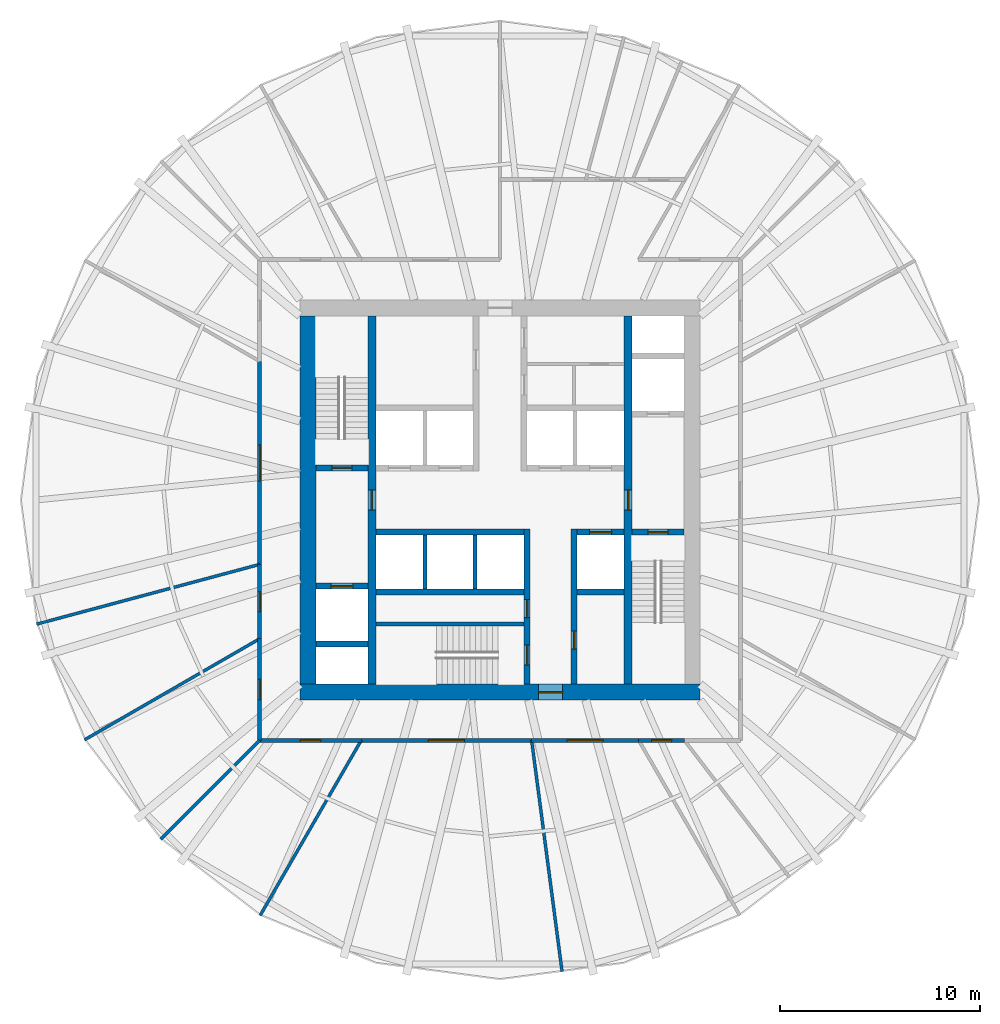
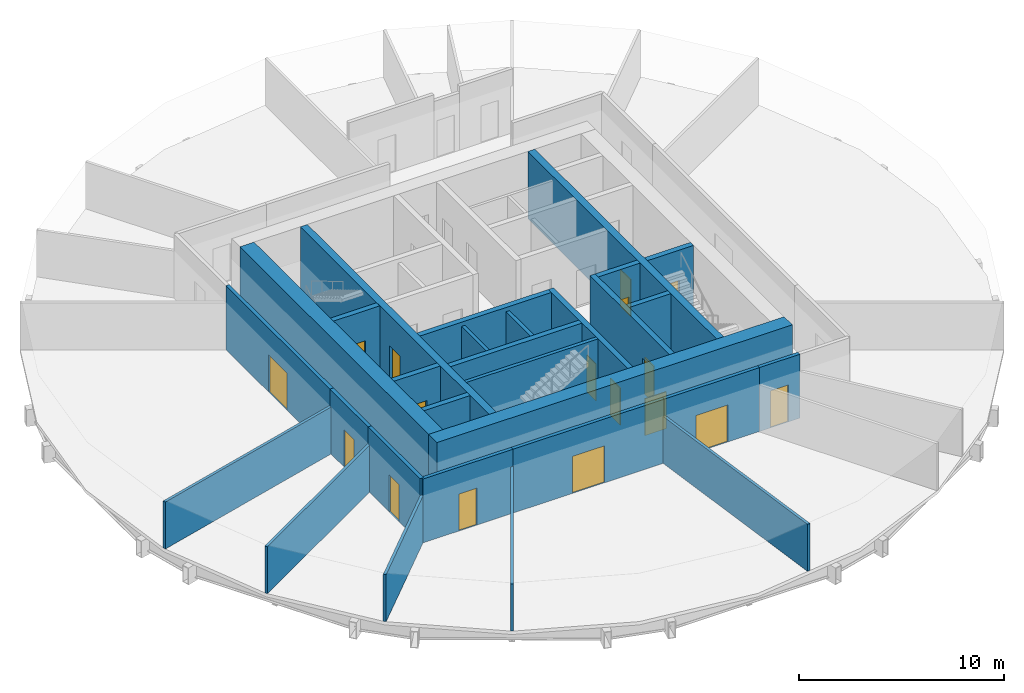
# One storey, part 3 of 6: 29 walls, 17 doors, 17 openings.
"""IFC4 building model written with IfcOpenShell, lengths in metres."""

from ifc_helpers import new_model, si_unit, direction, frame, frame_2d, origin, place, context, subcontext, project, spatial, rectangle, extrude, material, layer, layer_set, type_object, element, fill, save


model = new_model("IFC4")

# Units and contexts
model_context = context("Model", 3, precision=1e-05, world=origin(), true_north=direction((0.0, 1.0)))
body_context = subcontext(model_context, "Body", "Model", "MODEL_VIEW")
ifc_project = project(units=[si_unit("LENGTHUNIT", "METRE"), si_unit("AREAUNIT", "SQUARE_METRE"), si_unit("VOLUMEUNIT", "CUBIC_METRE"), si_unit("PLANEANGLEUNIT", "RADIAN"), si_unit("MASSUNIT", "GRAM", prefix="KILO")], contexts=[model_context])

# Site, building, storey
site_placement = place(None, origin())
site = spatial("IfcSite", under=ifc_project, at=site_placement, CompositionType="ELEMENT")
building_placement = place(site_placement, origin())
building = spatial("IfcBuilding", under=site, at=building_placement, Name="Golbaran Civic Tower", CompositionType="ELEMENT")
storey_placement = place(building_placement, frame((0.0, 0.0, 73.0)))
storey = spatial("IfcBuildingStorey", under=building, at=storey_placement, Name="L17", CompositionType="ELEMENT", Elevation=73.0)

# Wall, opening, door
ifc_material_1 = material(Name="Concrete C50/60", Category="concrete")
ifc_layer_1 = layer(ifc_material_1, 0.39990234375, Name="Concrete C50/60")
ifc_layer_set_1 = layer_set([ifc_layer_1], Name="Concrete C50/60")
wall_type_1 = type_object("IfcWallType", Name="CORE WALL CONCRETE 400", PredefinedType="SOLIDWALL", material=ifc_layer_set_1)
wall_1_placement = place(storey_placement, frame((-6.39990234375, -9.199951171875, 0.0), z_axis=(0.0, 0.0, 1.0), x_axis=(0.0, 1.0, 0.0)))
wall_1 = element("IfcWall", 1, at=wall_1_placement, inside=storey, type_object=wall_type_1, Name="Core wall IW L17", PredefinedType="SOLIDWALL", context=body_context, shape_type="SweptSolid", body=[
    extrude(rectangle(XDim=18.39990234375, YDim=0.39990234375, at=frame_2d((9.199951171875, 0.0))), origin(), (0.0, 0.0, 1.0), 4.0),
])
opening_1_placement = place(wall_1_placement, frame((8.699951171875, 0.0, 0.0)))
opening_1 = element("IfcOpeningElement", 2, at=opening_1_placement, cuts=wall_1, Name="Opening L17.FL1", PredefinedType="OPENING", context=body_context, shape_type="SweptSolid", body=[
    extrude(rectangle(XDim=1.0, YDim=2.199951171875, at=frame_2d((0.5, 1.10009765625))), frame((0.0, 0.2099609375, 0.0), z_axis=(0.0, -1.0, 0.0), x_axis=(1.0, 0.0, 0.0)), (0.0, 0.0, 1.0), 0.419921875),
])
ifc_material_2 = material(Name="Timber door set in steel frame", Category="steel")
door_type_1 = type_object("IfcDoorType", Name="STAIR DOOR 1000x2200", OperationType="SINGLE_SWING_LEFT", PredefinedType="DOOR", material=ifc_material_2)
door_1_placement = place(opening_1_placement, origin())
door_1 = element("IfcDoor", 3, at=door_1_placement, inside=storey, type_object=door_type_1, Name="Fire-fighting lobby FL1 door", OperationType="SINGLE_SWING_LEFT", OverallHeight=2.199951171875, OverallWidth=1.0, PredefinedType="DOOR", context=body_context, shape_type="SweptSolid", body=[
    extrude(rectangle(XDim=1.0, YDim=2.199951171875, at=frame_2d((0.5, 1.10009765625))), frame((0.0, 0.02490234375, 0.0), z_axis=(0.0, -1.0, 0.0), x_axis=(1.0, 0.0, 0.0)), (0.0, 0.0, 1.0), 0.050048828125),
])
fill(opening_1, door_1)

wall_2_placement = place(storey_placement, frame((6.39990234375, 9.199951171875, 0.0), z_axis=(0.0, 0.0, 1.0), x_axis=(0.0, -1.0, 0.0)))
wall_2 = element("IfcWall", 4, at=wall_2_placement, inside=storey, type_object=wall_type_1, Name="Core wall IE L17", PredefinedType="SOLIDWALL", context=body_context, shape_type="SweptSolid", body=[
    extrude(rectangle(XDim=18.39990234375, YDim=0.39990234375, at=frame_2d((9.199951171875, 0.0))), origin(), (0.0, 0.0, 1.0), 4.0),
])
opening_2_placement = place(wall_2_placement, frame((8.699951171875, 0.0, 0.0)))
opening_2 = element("IfcOpeningElement", 5, at=opening_2_placement, cuts=wall_2, Name="Opening L17.FL2", PredefinedType="OPENING", context=body_context, shape_type="SweptSolid", body=[
    extrude(rectangle(XDim=1.0, YDim=2.199951171875, at=frame_2d((0.5, 1.10009765625))), frame((0.0, 0.2099609375, 0.0), z_axis=(0.0, -1.0, 0.0), x_axis=(1.0, 0.0, 0.0)), (0.0, 0.0, 1.0), 0.419921875),
])
door_2_placement = place(opening_2_placement, origin())
door_2 = element("IfcDoor", 6, at=door_2_placement, inside=storey, type_object=door_type_1, Name="Fire-fighting lobby FL2 door", OperationType="SINGLE_SWING_RIGHT", OverallHeight=2.199951171875, OverallWidth=1.0, PredefinedType="DOOR", context=body_context, shape_type="SweptSolid", body=[
    extrude(rectangle(XDim=1.0, YDim=2.199951171875, at=frame_2d((0.5, 1.10009765625))), frame((0.0, 0.02490234375, 0.0), z_axis=(0.0, -1.0, 0.0), x_axis=(1.0, 0.0, 0.0)), (0.0, 0.0, 1.0), 0.050048828125),
])
fill(opening_2, door_2)

ifc_layer_2 = layer(ifc_material_1, 0.800048828125, Name="Concrete C50/60")
ifc_layer_set_2 = layer_set([ifc_layer_2], Name="Concrete C50/60")
wall_type_2 = type_object("IfcWallType", Name="CORE WALL CONCRETE 800", PredefinedType="SOLIDWALL", material=ifc_layer_set_2)
wall_3_placement = place(storey_placement, frame((10.0, -9.60009765625, 0.0), z_axis=(0.0, 0.0, 1.0), x_axis=(-1.0, 0.0, 0.0)))
wall_3 = element("IfcWall", 7, at=wall_3_placement, inside=storey, type_object=wall_type_2, Name="Core wall CS L17", PredefinedType="SOLIDWALL", context=body_context, shape_type="SweptSolid", body=[
    extrude(rectangle(XDim=20.0, YDim=0.800048828125, at=frame_2d((10.0, 0.0))), origin(), (0.0, 0.0, 1.0), 4.0),
])
opening_3_placement = place(wall_3_placement, frame((6.875, 0.0, 0.0)))
opening_3 = element("IfcOpeningElement", 8, at=opening_3_placement, cuts=wall_3, Name="Opening L17.CS", PredefinedType="OPENING", context=body_context, shape_type="SweptSolid", body=[
    extrude(rectangle(XDim=1.199951171875, YDim=2.199951171875, at=frame_2d((0.60009765625, 1.10009765625))), frame((0.0, 0.409912109375, 0.0), z_axis=(0.0, -1.0, 0.0), x_axis=(1.0, 0.0, 0.0)), (0.0, 0.0, 1.0), 0.820068359375),
])
door_type_2 = type_object("IfcDoorType", Name="CORE DOOR 1200x2200", OperationType="DOUBLE_DOOR_SINGLE_SWING", PredefinedType="DOOR", material=ifc_material_2)
door_3_placement = place(opening_3_placement, origin())
door_3 = element("IfcDoor", 9, at=door_3_placement, inside=storey, type_object=door_type_2, Name="Core door south", OperationType="DOUBLE_DOOR_SINGLE_SWING", OverallHeight=2.199951171875, OverallWidth=1.199951171875, PredefinedType="DOOR", context=body_context, shape_type="SweptSolid", body=[
    extrude(rectangle(XDim=1.199951171875, YDim=2.199951171875, at=frame_2d((0.60009765625, 1.10009765625))), frame((0.0, 0.02490234375, 0.0), z_axis=(0.0, -1.0, 0.0), x_axis=(1.0, 0.0, 0.0)), (0.0, 0.0, 1.0), 0.050048828125),
])
fill(opening_3, door_3)

# Wall
wall_4_placement = place(storey_placement, frame((-9.60009765625, 9.199951171875, 0.0), z_axis=(0.0, 0.0, 1.0), x_axis=(0.0, -1.0, 0.0)))
element("IfcWall", 10, at=wall_4_placement, inside=storey, type_object=wall_type_2, Name="Core wall CW L17", PredefinedType="SOLIDWALL", context=body_context, shape_type="SweptSolid", body=[
    extrude(rectangle(XDim=18.39990234375, YDim=0.800048828125, at=frame_2d((9.199951171875, 0.0))), origin(), (0.0, 0.0, 1.0), 4.0),
])

# Wall, opening, door
ifc_material_3 = material(Name="Gypsum board on steel studs, fire-rated", Category="steel")
ifc_layer_3 = layer(ifc_material_3, 0.199951171875, Name="Gypsum board on steel studs, fire-rated")
ifc_layer_set_3 = layer_set([ifc_layer_3], Name="Gypsum board on steel studs, fire-rated")
wall_type_3 = type_object("IfcWallType", Name="CORRIDOR WALL 200", PredefinedType="PARTITIONING", material=ifc_layer_set_3)
wall_5_placement = place(storey_placement, frame((-12.0, 6.92822265625, 0.0), z_axis=(0.0, 0.0, 1.0), x_axis=(0.0, -1.0, 0.0)))
wall_5 = element("IfcWall", 11, at=wall_5_placement, inside=storey, type_object=wall_type_3, Name="Corridor wall L17", PredefinedType="PARTITIONING", context=body_context, shape_type="SweptSolid", body=[
    extrude(rectangle(XDim=10.1435546875, YDim=0.199951171875, at=frame_2d((5.07177734375, 0.0))), origin(), (0.0, 0.0, 1.0), 3.800048828125),
])
opening_4_placement = place(wall_5_placement, frame((4.171875, 0.0, 0.0)))
opening_4 = element("IfcOpeningElement", 12, at=opening_4_placement, cuts=wall_5, Name="Opening L17.10", PredefinedType="OPENING", context=body_context, shape_type="SweptSolid", body=[
    extrude(rectangle(XDim=1.800048828125, YDim=2.199951171875, at=frame_2d((0.89990234375, 1.10009765625))), frame((0.0, 0.10986328125, 0.0), z_axis=(0.0, -1.0, 0.0), x_axis=(1.0, 0.0, 0.0)), (0.0, 0.0, 1.0), 0.219970703125),
])
door_type_3 = type_object("IfcDoorType", Name="OFFICE DOUBLE DOOR 1800x2200", OperationType="DOUBLE_DOOR_SINGLE_SWING", PredefinedType="DOOR", material=ifc_material_2)
door_4_placement = place(opening_4_placement, origin())
door_4 = element("IfcDoor", 13, at=door_4_placement, inside=storey, type_object=door_type_3, Name="Open Office door L17", OperationType="DOUBLE_DOOR_SINGLE_SWING", OverallHeight=2.199951171875, OverallWidth=1.800048828125, PredefinedType="DOOR", context=body_context, shape_type="SweptSolid", body=[
    extrude(rectangle(XDim=1.800048828125, YDim=2.199951171875, at=frame_2d((0.89990234375, 1.10009765625))), frame((0.0, 0.02490234375, 0.0), z_axis=(0.0, -1.0, 0.0), x_axis=(1.0, 0.0, 0.0)), (0.0, 0.0, 1.0), 0.050048828125),
])
fill(opening_4, door_4)

wall_6_placement = place(storey_placement, frame((-12.0, -3.21533203125, 0.0), z_axis=(0.0, 0.0, 1.0), x_axis=(0.0, -1.0, 0.0)))
wall_6 = element("IfcWall", 14, at=wall_6_placement, inside=storey, type_object=wall_type_3, Name="Corridor wall L17", PredefinedType="PARTITIONING", context=body_context, shape_type="SweptSolid", body=[
    extrude(rectangle(XDim=3.712890625, YDim=0.199951171875, at=frame_2d((1.8564453125, 0.0))), origin(), (0.0, 0.0, 1.0), 3.800048828125),
])
opening_5_placement = place(wall_6_placement, frame((1.3564453125, 0.0, 0.0)))
opening_5 = element("IfcOpeningElement", 15, at=opening_5_placement, cuts=wall_6, Name="Opening L17.11", PredefinedType="OPENING", context=body_context, shape_type="SweptSolid", body=[
    extrude(rectangle(XDim=1.0, YDim=2.199951171875, at=frame_2d((0.5, 1.10009765625))), frame((0.0, 0.10986328125, 0.0), z_axis=(0.0, -1.0, 0.0), x_axis=(1.0, 0.0, 0.0)), (0.0, 0.0, 1.0), 0.219970703125),
])
door_type_4 = type_object("IfcDoorType", Name="OFFICE DOOR 1000x2200", OperationType="SINGLE_SWING_LEFT", PredefinedType="DOOR", material=ifc_material_2)
door_5_placement = place(opening_5_placement, origin())
door_5 = element("IfcDoor", 16, at=door_5_placement, inside=storey, type_object=door_type_4, Name="Interview Room door L17", OperationType="SINGLE_SWING_RIGHT", OverallHeight=2.199951171875, OverallWidth=1.0, PredefinedType="DOOR", context=body_context, shape_type="SweptSolid", body=[
    extrude(rectangle(XDim=1.0, YDim=2.199951171875, at=frame_2d((0.5, 1.10009765625))), frame((0.0, 0.02490234375, 0.0), z_axis=(0.0, -1.0, 0.0), x_axis=(1.0, 0.0, 0.0)), (0.0, 0.0, 1.0), 0.050048828125),
])
fill(opening_5, door_5)

wall_7_placement = place(storey_placement, frame((-12.0, -6.92822265625, 0.0), z_axis=(0.0, 0.0, 1.0), x_axis=(0.0, -1.0, 0.0)))
wall_7 = element("IfcWall", 17, at=wall_7_placement, inside=storey, type_object=wall_type_3, Name="Corridor wall L17", PredefinedType="PARTITIONING", context=body_context, shape_type="SweptSolid", body=[
    extrude(rectangle(XDim=5.07177734375, YDim=0.199951171875, at=frame_2d((2.535888671875, 0.0))), origin(), (0.0, 0.0, 1.0), 3.800048828125),
])
opening_6_placement = place(wall_7_placement, frame((2.035888671875, 0.0, 0.0)))
opening_6 = element("IfcOpeningElement", 18, at=opening_6_placement, cuts=wall_7, Name="Opening L17.12", PredefinedType="OPENING", context=body_context, shape_type="SweptSolid", body=[
    extrude(rectangle(XDim=1.0, YDim=2.199951171875, at=frame_2d((0.5, 1.10009765625))), frame((0.0, 0.10986328125, 0.0), z_axis=(0.0, -1.0, 0.0), x_axis=(1.0, 0.0, 0.0)), (0.0, 0.0, 1.0), 0.219970703125),
])
door_6_placement = place(opening_6_placement, origin())
door_6 = element("IfcDoor", 19, at=door_6_placement, inside=storey, type_object=door_type_4, Name="Quiet Room door L17", OperationType="SINGLE_SWING_RIGHT", OverallHeight=2.199951171875, OverallWidth=1.0, PredefinedType="DOOR", context=body_context, shape_type="SweptSolid", body=[
    extrude(rectangle(XDim=1.0, YDim=2.199951171875, at=frame_2d((0.5, 1.10009765625))), frame((0.0, 0.02490234375, 0.0), z_axis=(0.0, -1.0, 0.0), x_axis=(1.0, 0.0, 0.0)), (0.0, 0.0, 1.0), 0.050048828125),
])
fill(opening_6, door_6)

wall_8_placement = place(storey_placement, frame((-12.0, -12.0, 0.0), z_axis=(0.0, 0.0, 1.0), x_axis=(1.0, 0.0, 0.0)))
wall_8 = element("IfcWall", 20, at=wall_8_placement, inside=storey, type_object=wall_type_3, Name="Corridor wall L17", PredefinedType="PARTITIONING", context=body_context, shape_type="SweptSolid", body=[
    extrude(rectangle(XDim=5.07177734375, YDim=0.199951171875, at=frame_2d((2.535888671875, 0.0))), origin(), (0.0, 0.0, 1.0), 3.800048828125),
])
opening_7_placement = place(wall_8_placement, frame((2.035888671875, 0.0, 0.0)))
opening_7 = element("IfcOpeningElement", 21, at=opening_7_placement, cuts=wall_8, Name="Opening L17.13", PredefinedType="OPENING", context=body_context, shape_type="SweptSolid", body=[
    extrude(rectangle(XDim=1.0, YDim=2.199951171875, at=frame_2d((0.5, 1.10009765625))), frame((0.0, 0.10986328125, 0.0), z_axis=(0.0, -1.0, 0.0), x_axis=(1.0, 0.0, 0.0)), (0.0, 0.0, 1.0), 0.219970703125),
])
door_7_placement = place(opening_7_placement, origin())
door_7 = element("IfcDoor", 22, at=door_7_placement, inside=storey, type_object=door_type_4, Name="Meeting Room door L17", OperationType="SINGLE_SWING_LEFT", OverallHeight=2.199951171875, OverallWidth=1.0, PredefinedType="DOOR", context=body_context, shape_type="SweptSolid", body=[
    extrude(rectangle(XDim=1.0, YDim=2.199951171875, at=frame_2d((0.5, 1.10009765625))), frame((0.0, 0.02490234375, 0.0), z_axis=(0.0, -1.0, 0.0), x_axis=(1.0, 0.0, 0.0)), (0.0, 0.0, 1.0), 0.050048828125),
])
fill(opening_7, door_7)

wall_9_placement = place(storey_placement, frame((-6.92822265625, -12.0, 0.0), z_axis=(0.0, 0.0, 1.0), x_axis=(1.0, 0.0, 0.0)))
wall_9 = element("IfcWall", 23, at=wall_9_placement, inside=storey, type_object=wall_type_3, Name="Corridor wall L17", PredefinedType="PARTITIONING", context=body_context, shape_type="SweptSolid", body=[
    extrude(rectangle(XDim=8.508056640625, YDim=0.199951171875, at=frame_2d((4.25390625, 0.0))), origin(), (0.0, 0.0, 1.0), 3.800048828125),
])
opening_8_placement = place(wall_9_placement, frame((3.35400390625, 0.0, 0.0)))
opening_8 = element("IfcOpeningElement", 24, at=opening_8_placement, cuts=wall_9, Name="Opening L17.14", PredefinedType="OPENING", context=body_context, shape_type="SweptSolid", body=[
    extrude(rectangle(XDim=1.800048828125, YDim=2.199951171875, at=frame_2d((0.89990234375, 1.10009765625))), frame((0.0, 0.10986328125, 0.0), z_axis=(0.0, -1.0, 0.0), x_axis=(1.0, 0.0, 0.0)), (0.0, 0.0, 1.0), 0.219970703125),
])
door_8_placement = place(opening_8_placement, origin())
door_8 = element("IfcDoor", 25, at=door_8_placement, inside=storey, type_object=door_type_3, Name="Open Office door L17", OperationType="DOUBLE_DOOR_SINGLE_SWING", OverallHeight=2.199951171875, OverallWidth=1.800048828125, PredefinedType="DOOR", context=body_context, shape_type="SweptSolid", body=[
    extrude(rectangle(XDim=1.800048828125, YDim=2.199951171875, at=frame_2d((0.89990234375, 1.10009765625))), frame((0.0, 0.02490234375, 0.0), z_axis=(0.0, -1.0, 0.0), x_axis=(1.0, 0.0, 0.0)), (0.0, 0.0, 1.0), 0.050048828125),
])
fill(opening_8, door_8)

wall_10_placement = place(storey_placement, frame((1.579833984375, -12.0, 0.0), z_axis=(0.0, 0.0, 1.0), x_axis=(1.0, 0.0, 0.0)))
wall_10 = element("IfcWall", 26, at=wall_10_placement, inside=storey, type_object=wall_type_3, Name="Corridor wall L17", PredefinedType="PARTITIONING", context=body_context, shape_type="SweptSolid", body=[
    extrude(rectangle(XDim=5.348388671875, YDim=0.199951171875, at=frame_2d((2.67431640625, 0.0))), origin(), (0.0, 0.0, 1.0), 3.800048828125),
])
opening_9_placement = place(wall_10_placement, frame((1.774169921875, 0.0, 0.0)))
opening_9 = element("IfcOpeningElement", 27, at=opening_9_placement, cuts=wall_10, Name="Opening L17.15", PredefinedType="OPENING", context=body_context, shape_type="SweptSolid", body=[
    extrude(rectangle(XDim=1.800048828125, YDim=2.199951171875, at=frame_2d((0.89990234375, 1.10009765625))), frame((0.0, 0.10986328125, 0.0), z_axis=(0.0, -1.0, 0.0), x_axis=(1.0, 0.0, 0.0)), (0.0, 0.0, 1.0), 0.219970703125),
])
door_9_placement = place(opening_9_placement, origin())
door_9 = element("IfcDoor", 28, at=door_9_placement, inside=storey, type_object=door_type_3, Name="Open Office door L17", OperationType="DOUBLE_DOOR_SINGLE_SWING", OverallHeight=2.199951171875, OverallWidth=1.800048828125, PredefinedType="DOOR", context=body_context, shape_type="SweptSolid", body=[
    extrude(rectangle(XDim=1.800048828125, YDim=2.199951171875, at=frame_2d((0.89990234375, 1.10009765625))), frame((0.0, 0.02490234375, 0.0), z_axis=(0.0, -1.0, 0.0), x_axis=(1.0, 0.0, 0.0)), (0.0, 0.0, 1.0), 0.050048828125),
])
fill(opening_9, door_9)

wall_11_placement = place(storey_placement, frame((6.92822265625, -12.0, 0.0), z_axis=(0.0, 0.0, 1.0), x_axis=(1.0, 0.0, 0.0)))
wall_11 = element("IfcWall", 29, at=wall_11_placement, inside=storey, type_object=wall_type_3, Name="Corridor wall L17", PredefinedType="PARTITIONING", context=body_context, shape_type="SweptSolid", body=[
    extrude(rectangle(XDim=2.27978515625, YDim=0.199951171875, at=frame_2d((1.139892578125, 0.0))), origin(), (0.0, 0.0, 1.0), 3.800048828125),
])
opening_10_placement = place(wall_11_placement, frame((0.639892578125, 0.0, 0.0)))
opening_10 = element("IfcOpeningElement", 30, at=opening_10_placement, cuts=wall_11, Name="Opening L17.16", PredefinedType="OPENING", context=body_context, shape_type="SweptSolid", body=[
    extrude(rectangle(XDim=1.0, YDim=2.199951171875, at=frame_2d((0.5, 1.10009765625))), frame((0.0, 0.10986328125, 0.0), z_axis=(0.0, -1.0, 0.0), x_axis=(1.0, 0.0, 0.0)), (0.0, 0.0, 1.0), 0.219970703125),
])
door_10_placement = place(opening_10_placement, origin())
door_10 = element("IfcDoor", 31, at=door_10_placement, inside=storey, type_object=door_type_4, Name="Quiet Room door L17", OperationType="SINGLE_SWING_LEFT", OverallHeight=2.199951171875, OverallWidth=1.0, PredefinedType="DOOR", context=body_context, shape_type="SweptSolid", body=[
    extrude(rectangle(XDim=1.0, YDim=2.199951171875, at=frame_2d((0.5, 1.10009765625))), frame((0.0, 0.02490234375, 0.0), z_axis=(0.0, -1.0, 0.0), x_axis=(1.0, 0.0, 0.0)), (0.0, 0.0, 1.0), 0.050048828125),
])
fill(opening_10, door_10)

# Walls
ifc_material_4 = material(Name="Concrete block", Category="concrete")
ifc_layer_4 = layer(ifc_material_4, 0.199951171875, Name="Concrete block")
ifc_layer_set_4 = layer_set([ifc_layer_4], Name="Concrete block")
wall_type_4 = type_object("IfcWallType", Name="LIFT SEPARATOR WALL 200", PredefinedType="SOLIDWALL", material=ifc_layer_set_4)
for number, where, z_axis, x_axis, name in (
    (32, (-3.75, -1.75, 0.0), (0.0, 0.0, 1.0), (0.0, -1.0, 0.0), "Core partition SSW L17"),
    (33, (-1.25, -1.75, 0.0), (0.0, 0.0, 1.0), (0.0, -1.0, 0.0), "Core partition SSM L17"),
):
    element("IfcWall", number, at=place(storey_placement, frame(where, z_axis=z_axis, x_axis=x_axis)), inside=storey, type_object=wall_type_4, Name=name, PredefinedType="SOLIDWALL", context=body_context, shape_type="SweptSolid", body=[
        extrude(rectangle(XDim=2.699951171875, YDim=0.199951171875, at=frame_2d((1.35009765625, 0.0))), origin(), (0.0, 0.0, 1.0), 3.75),
    ])
ifc_material_5 = material(Name="Gypsum board on steel studs", Category="steel")
ifc_layer_5 = layer(ifc_material_5, 0.14990234375, Name="Gypsum board on steel studs")
ifc_layer_set_5 = layer_set([ifc_layer_5], Name="Gypsum board on steel studs")
wall_type_5 = type_object("IfcWallType", Name="OFFICE PARTITION 150", PredefinedType="PARTITIONING", material=ifc_layer_set_5)
wall_12_placement = place(storey_placement, frame((-12.0, -3.21533203125, 0.0), z_axis=(0.0, 0.0, 1.0), x_axis=(-0.96592415734, -0.258825273624, 0.0)))
element("IfcWall", 34, at=wall_12_placement, inside=storey, type_object=wall_type_5, Name="Partition 195 L17", PredefinedType="PARTITIONING", context=body_context, shape_type="SweptSolid", body=[
    extrude(rectangle(XDim=11.5390625, YDim=0.14990234375, at=frame_2d((5.76953125, 0.0))), origin(), (0.0, 0.0, 1.0), 2.7900390625),
])
wall_13_placement = place(storey_placement, frame((-12.0, -6.92822265625, 0.0), z_axis=(0.0, 0.0, 1.0), x_axis=(-0.866023860286, -0.500002673408, 0.0)))
element("IfcWall", 35, at=wall_13_placement, inside=storey, type_object=wall_type_5, Name="Partition 210 L17", PredefinedType="PARTITIONING", context=body_context, shape_type="SweptSolid", body=[
    extrude(rectangle(XDim=10.10595703125, YDim=0.14990234375, at=frame_2d((5.052978515625, 0.0))), origin(), (0.0, 0.0, 1.0), 2.7900390625),
])
wall_14_placement = place(storey_placement, frame((-12.0, -12.0, 0.0), z_axis=(0.0, 0.0, 1.0), x_axis=(-0.707106781187, -0.707106781187, 0.0)))
element("IfcWall", 36, at=wall_14_placement, inside=storey, type_object=wall_type_5, Name="Partition 225 L17", PredefinedType="PARTITIONING", context=body_context, shape_type="SweptSolid", body=[
    extrude(rectangle(XDim=6.99169921875, YDim=0.14990234375, at=frame_2d((3.495849609375, 0.0))), origin(), (0.0, 0.0, 1.0), 2.7900390625),
])
wall_15_placement = place(storey_placement, frame((-6.92822265625, -12.0, 0.0), z_axis=(0.0, 0.0, 1.0), x_axis=(-0.500002673408, -0.866023860286, 0.0)))
element("IfcWall", 37, at=wall_15_placement, inside=storey, type_object=wall_type_5, Name="Partition 240 L17", PredefinedType="PARTITIONING", context=body_context, shape_type="SweptSolid", body=[
    extrude(rectangle(XDim=10.10595703125, YDim=0.14990234375, at=frame_2d((5.052978515625, 0.0))), origin(), (0.0, 0.0, 1.0), 2.7900390625),
])
wall_16_placement = place(storey_placement, frame((1.579833984375, -12.0, 0.0), z_axis=(0.0, 0.0, 1.0), x_axis=(0.130516833846, -0.991446093382, 0.0)))
element("IfcWall", 38, at=wall_16_placement, inside=storey, type_object=wall_type_5, Name="Partition 277.5 L17", PredefinedType="PARTITIONING", context=body_context, shape_type="SweptSolid", body=[
    extrude(rectangle(XDim=11.653564453125, YDim=0.14990234375, at=frame_2d((5.82666015625, 0.0))), origin(), (0.0, 0.0, 1.0), 2.7900390625),
])
ifc_layer_6 = layer(ifc_material_1, 0.199951171875, Name="Concrete C50/60")
ifc_layer_set_6 = layer_set([ifc_layer_6], Name="Concrete C50/60")
wall_type_6 = type_object("IfcWallType", Name="SHAFT WALL CONCRETE 200", PredefinedType="SOLIDWALL", material=ifc_layer_set_6)
wall_17_placement = place(storey_placement, frame((-6.199951171875, -6.199951171875, 0.0), z_axis=(0.0, 0.0, 1.0), x_axis=(1.0, 0.0, 0.0)))
element("IfcWall", 39, at=wall_17_placement, inside=storey, type_object=wall_type_6, Name="Core wall S3N L17", PredefinedType="SOLIDWALL", context=body_context, shape_type="SweptSolid", body=[
    extrude(rectangle(XDim=7.39990234375, YDim=0.199951171875, at=frame_2d((3.699951171875, 0.0))), origin(), (0.0, 0.0, 1.0), 4.0),
])
ifc_layer_7 = layer(ifc_material_1, 0.300048828125, Name="Concrete C50/60")
ifc_layer_set_7 = layer_set([ifc_layer_7], Name="Concrete C50/60")
wall_type_7 = type_object("IfcWallType", Name="SHAFT WALL CONCRETE 300", PredefinedType="SOLIDWALL", material=ifc_layer_set_7)
wall_18_placement = place(storey_placement, frame((-6.199951171875, -1.60009765625, 0.0), z_axis=(0.0, 0.0, 1.0), x_axis=(1.0, 0.0, 0.0)))
element("IfcWall", 40, at=wall_18_placement, inside=storey, type_object=wall_type_7, Name="Core wall FSW L17", PredefinedType="SOLIDWALL", context=body_context, shape_type="SweptSolid", body=[
    extrude(rectangle(XDim=7.39990234375, YDim=0.300048828125, at=frame_2d((3.699951171875, 0.0))), origin(), (0.0, 0.0, 1.0), 4.0),
])

# Wall, opening, door
wall_19_placement = place(storey_placement, frame((3.85009765625, -1.60009765625, 0.0), z_axis=(0.0, 0.0, 1.0), x_axis=(1.0, 0.0, 0.0)))
wall_19 = element("IfcWall", 41, at=wall_19_placement, inside=storey, type_object=wall_type_7, Name="Core wall FSE L17", PredefinedType="SOLIDWALL", context=body_context, shape_type="SweptSolid", body=[
    extrude(rectangle(XDim=2.349853515625, YDim=0.300048828125, at=frame_2d((1.1748046875, 0.0))), origin(), (0.0, 0.0, 1.0), 4.0),
])
opening_11_placement = place(wall_19_placement, frame((0.625, 0.0, 0.0)))
opening_11 = element("IfcOpeningElement", 42, at=opening_11_placement, cuts=wall_19, Name="Opening L17.LD-V1", PredefinedType="OPENING", context=body_context, shape_type="SweptSolid", body=[
    extrude(rectangle(XDim=1.10009765625, YDim=2.199951171875, at=frame_2d((0.550048828125, 1.10009765625))), frame((0.0, 0.159912109375, 0.0), z_axis=(0.0, -1.0, 0.0), x_axis=(1.0, 0.0, 0.0)), (0.0, 0.0, 1.0), 0.320068359375),
])
ifc_material_6 = material(Name="Stainless steel", Category="steel")
door_type_5 = type_object("IfcDoorType", Name="LIFT LANDING DOOR 1100x2200", OperationType="SLIDING_TO_LEFT", PredefinedType="DOOR", material=ifc_material_6)
door_11_placement = place(opening_11_placement, origin())
door_11 = element("IfcDoor", 43, at=door_11_placement, inside=storey, type_object=door_type_5, Name="Lift landing door V1", OperationType="SLIDING_TO_LEFT", OverallHeight=2.199951171875, OverallWidth=1.10009765625, PredefinedType="DOOR", context=body_context, shape_type="SweptSolid", body=[
    extrude(rectangle(XDim=1.10009765625, YDim=2.199951171875, at=frame_2d((0.550048828125, 1.10009765625))), frame((0.0, 0.02490234375, 0.0), z_axis=(0.0, -1.0, 0.0), x_axis=(1.0, 0.0, 0.0)), (0.0, 0.0, 1.0), 0.050048828125),
])
fill(opening_11, door_11)

# Walls
wall_20_placement = place(storey_placement, frame((-6.199951171875, -4.60009765625, 0.0), z_axis=(0.0, 0.0, 1.0), x_axis=(1.0, 0.0, 0.0)))
element("IfcWall", 44, at=wall_20_placement, inside=storey, type_object=wall_type_7, Name="Core wall BSW L17", PredefinedType="SOLIDWALL", context=body_context, shape_type="SweptSolid", body=[
    extrude(rectangle(XDim=7.39990234375, YDim=0.300048828125, at=frame_2d((3.699951171875, 0.0))), origin(), (0.0, 0.0, 1.0), 4.0),
])
wall_21_placement = place(storey_placement, frame((3.85009765625, -4.60009765625, 0.0), z_axis=(0.0, 0.0, 1.0), x_axis=(1.0, 0.0, 0.0)))
element("IfcWall", 45, at=wall_21_placement, inside=storey, type_object=wall_type_7, Name="Core wall BSE L17", PredefinedType="SOLIDWALL", context=body_context, shape_type="SweptSolid", body=[
    extrude(rectangle(XDim=2.349853515625, YDim=0.300048828125, at=frame_2d((1.1748046875, 0.0))), origin(), (0.0, 0.0, 1.0), 4.0),
])

# Wall, openings, doors
wall_22_placement = place(storey_placement, frame((1.35009765625, -1.449951171875, 0.0), z_axis=(0.0, 0.0, 1.0), x_axis=(0.0, -1.0, 0.0)))
wall_22 = element("IfcWall", 46, at=wall_22_placement, inside=storey, type_object=wall_type_7, Name="Core wall PSW L17", PredefinedType="SOLIDWALL", context=body_context, shape_type="SweptSolid", body=[
    extrude(rectangle(XDim=7.75, YDim=0.300048828125, at=frame_2d((3.875, 0.0))), origin(), (0.0, 0.0, 1.0), 4.0),
])
opening_12_placement = place(wall_22_placement, frame((5.800048828125, 0.0, 0.0)))
opening_12 = element("IfcOpeningElement", 47, at=opening_12_placement, cuts=wall_22, Name="Opening L17.S3", PredefinedType="OPENING", context=body_context, shape_type="SweptSolid", body=[
    extrude(rectangle(XDim=1.0, YDim=2.199951171875, at=frame_2d((0.5, 1.10009765625))), frame((0.0, 0.159912109375, 0.0), z_axis=(0.0, -1.0, 0.0), x_axis=(1.0, 0.0, 0.0)), (0.0, 0.0, 1.0), 0.320068359375),
])
opening_13_placement = place(wall_22_placement, frame((3.52490234375, 0.0, 0.0)))
opening_13 = element("IfcOpeningElement", 48, at=opening_13_placement, cuts=wall_22, Name="Opening L17.RE", PredefinedType="OPENING", context=body_context, shape_type="SweptSolid", body=[
    extrude(rectangle(XDim=0.89990234375, YDim=2.199951171875, at=frame_2d((0.449951171875, 1.10009765625))), frame((0.0, 0.159912109375, 0.0), z_axis=(0.0, -1.0, 0.0), x_axis=(1.0, 0.0, 0.0)), (0.0, 0.0, 1.0), 0.320068359375),
])
door_type_6 = type_object("IfcDoorType", Name="RISER DOOR 900x2200", OperationType="SINGLE_SWING_LEFT", PredefinedType="DOOR", material=ifc_material_2)
door_12_placement = place(opening_13_placement, origin())
door_12 = element("IfcDoor", 49, at=door_12_placement, inside=storey, type_object=door_type_6, Name="Electrical riser door", OperationType="SINGLE_SWING_RIGHT", OverallHeight=2.199951171875, OverallWidth=0.89990234375, PredefinedType="DOOR", context=body_context, shape_type="SweptSolid", body=[
    extrude(rectangle(XDim=0.89990234375, YDim=2.199951171875, at=frame_2d((0.449951171875, 1.10009765625))), frame((0.0, 0.02490234375, 0.0), z_axis=(0.0, -1.0, 0.0), x_axis=(1.0, 0.0, 0.0)), (0.0, 0.0, 1.0), 0.050048828125),
])
fill(opening_13, door_12)
door_13_placement = place(opening_12_placement, origin())
door_13 = element("IfcDoor", 50, at=door_13_placement, inside=storey, type_object=door_type_1, Name="Stair S3 door", OperationType="SINGLE_SWING_RIGHT", OverallHeight=2.199951171875, OverallWidth=1.0, PredefinedType="DOOR", context=body_context, shape_type="SweptSolid", body=[
    extrude(rectangle(XDim=1.0, YDim=2.199951171875, at=frame_2d((0.5, 1.10009765625))), frame((0.0, 0.02490234375, 0.0), z_axis=(0.0, -1.0, 0.0), x_axis=(1.0, 0.0, 0.0)), (0.0, 0.0, 1.0), 0.050048828125),
])
fill(opening_12, door_13)

# Wall, opening, door
wall_23_placement = place(storey_placement, frame((3.699951171875, -1.449951171875, 0.0), z_axis=(0.0, 0.0, 1.0), x_axis=(0.0, -1.0, 0.0)))
wall_23 = element("IfcWall", 51, at=wall_23_placement, inside=storey, type_object=wall_type_7, Name="Core wall PSE L17", PredefinedType="SOLIDWALL", context=body_context, shape_type="SweptSolid", body=[
    extrude(rectangle(XDim=7.75, YDim=0.300048828125, at=frame_2d((3.875, 0.0))), origin(), (0.0, 0.0, 1.0), 4.0),
])
opening_14_placement = place(wall_23_placement, frame((5.10009765625, 0.0, 0.0)))
opening_14 = element("IfcOpeningElement", 52, at=opening_14_placement, cuts=wall_23, Name="Opening L17.RM", PredefinedType="OPENING", context=body_context, shape_type="SweptSolid", body=[
    extrude(rectangle(XDim=0.89990234375, YDim=2.199951171875, at=frame_2d((0.449951171875, 1.10009765625))), frame((0.0, 0.159912109375, 0.0), z_axis=(0.0, -1.0, 0.0), x_axis=(1.0, 0.0, 0.0)), (0.0, 0.0, 1.0), 0.320068359375),
])
door_14_placement = place(opening_14_placement, origin())
door_14 = element("IfcDoor", 53, at=door_14_placement, inside=storey, type_object=door_type_6, Name="Mechanical riser door", OperationType="SINGLE_SWING_RIGHT", OverallHeight=2.199951171875, OverallWidth=0.89990234375, PredefinedType="DOOR", context=body_context, shape_type="SweptSolid", body=[
    extrude(rectangle(XDim=0.89990234375, YDim=2.199951171875, at=frame_2d((0.449951171875, 1.10009765625))), frame((0.0, 0.02490234375, 0.0), z_axis=(0.0, -1.0, 0.0), x_axis=(1.0, 0.0, 0.0)), (0.0, 0.0, 1.0), 0.050048828125),
])
fill(opening_14, door_14)

wall_24_placement = place(storey_placement, frame((-9.199951171875, 1.60009765625, 0.0), z_axis=(0.0, 0.0, 1.0), x_axis=(1.0, 0.0, 0.0)))
wall_24 = element("IfcWall", 54, at=wall_24_placement, inside=storey, type_object=wall_type_7, Name="Core wall XW1 L17", PredefinedType="SOLIDWALL", context=body_context, shape_type="SweptSolid", body=[
    extrude(rectangle(XDim=2.599853515625, YDim=0.300048828125, at=frame_2d((1.2998046875, 0.0))), origin(), (0.0, 0.0, 1.0), 4.0),
])
opening_15_placement = place(wall_24_placement, frame((0.800048828125, 0.0, 0.0)))
opening_15 = element("IfcOpeningElement", 55, at=opening_15_placement, cuts=wall_24, Name="Opening L17.S1", PredefinedType="OPENING", context=body_context, shape_type="SweptSolid", body=[
    extrude(rectangle(XDim=1.0, YDim=2.199951171875, at=frame_2d((0.5, 1.10009765625))), frame((0.0, 0.159912109375, 0.0), z_axis=(0.0, -1.0, 0.0), x_axis=(1.0, 0.0, 0.0)), (0.0, 0.0, 1.0), 0.320068359375),
])
door_15_placement = place(opening_15_placement, origin())
door_15 = element("IfcDoor", 56, at=door_15_placement, inside=storey, type_object=door_type_1, Name="Stair S1 door", OperationType="SINGLE_SWING_LEFT", OverallHeight=2.199951171875, OverallWidth=1.0, PredefinedType="DOOR", context=body_context, shape_type="SweptSolid", body=[
    extrude(rectangle(XDim=1.0, YDim=2.199951171875, at=frame_2d((0.5, 1.10009765625))), frame((0.0, 0.02490234375, 0.0), z_axis=(0.0, -1.0, 0.0), x_axis=(1.0, 0.0, 0.0)), (0.0, 0.0, 1.0), 0.050048828125),
])
fill(opening_15, door_15)

wall_25_placement = place(storey_placement, frame((6.60009765625, -1.60009765625, 0.0), z_axis=(0.0, 0.0, 1.0), x_axis=(1.0, 0.0, 0.0)))
wall_25 = element("IfcWall", 57, at=wall_25_placement, inside=storey, type_object=wall_type_7, Name="Core wall XE1 L17", PredefinedType="SOLIDWALL", context=body_context, shape_type="SweptSolid", body=[
    extrude(rectangle(XDim=2.599853515625, YDim=0.300048828125, at=frame_2d((1.2998046875, 0.0))), origin(), (0.0, 0.0, 1.0), 4.0),
])
opening_16_placement = place(wall_25_placement, frame((0.800048828125, 0.0, 0.0)))
opening_16 = element("IfcOpeningElement", 58, at=opening_16_placement, cuts=wall_25, Name="Opening L17.S2", PredefinedType="OPENING", context=body_context, shape_type="SweptSolid", body=[
    extrude(rectangle(XDim=1.0, YDim=2.199951171875, at=frame_2d((0.5, 1.10009765625))), frame((0.0, 0.159912109375, 0.0), z_axis=(0.0, -1.0, 0.0), x_axis=(1.0, 0.0, 0.0)), (0.0, 0.0, 1.0), 0.320068359375),
])
door_16_placement = place(opening_16_placement, origin())
door_16 = element("IfcDoor", 59, at=door_16_placement, inside=storey, type_object=door_type_1, Name="Stair S2 door", OperationType="SINGLE_SWING_LEFT", OverallHeight=2.199951171875, OverallWidth=1.0, PredefinedType="DOOR", context=body_context, shape_type="SweptSolid", body=[
    extrude(rectangle(XDim=1.0, YDim=2.199951171875, at=frame_2d((0.5, 1.10009765625))), frame((0.0, 0.02490234375, 0.0), z_axis=(0.0, -1.0, 0.0), x_axis=(1.0, 0.0, 0.0)), (0.0, 0.0, 1.0), 0.050048828125),
])
fill(opening_16, door_16)

wall_26_placement = place(storey_placement, frame((-9.199951171875, -4.300048828125, 0.0), z_axis=(0.0, 0.0, 1.0), x_axis=(1.0, 0.0, 0.0)))
wall_26 = element("IfcWall", 60, at=wall_26_placement, inside=storey, type_object=wall_type_7, Name="Core wall XW2 L17", PredefinedType="SOLIDWALL", context=body_context, shape_type="SweptSolid", body=[
    extrude(rectangle(XDim=2.599853515625, YDim=0.300048828125, at=frame_2d((1.2998046875, 0.0))), origin(), (0.0, 0.0, 1.0), 4.0),
])
opening_17_placement = place(wall_26_placement, frame((0.75, 0.0, 0.0)))
opening_17 = element("IfcOpeningElement", 61, at=opening_17_placement, cuts=wall_26, Name="Opening L17.LD-F1", PredefinedType="OPENING", context=body_context, shape_type="SweptSolid", body=[
    extrude(rectangle(XDim=1.10009765625, YDim=2.199951171875, at=frame_2d((0.550048828125, 1.10009765625))), frame((0.0, 0.159912109375, 0.0), z_axis=(0.0, -1.0, 0.0), x_axis=(1.0, 0.0, 0.0)), (0.0, 0.0, 1.0), 0.320068359375),
])
door_17_placement = place(opening_17_placement, origin())
door_17 = element("IfcDoor", 62, at=door_17_placement, inside=storey, type_object=door_type_5, Name="Lift landing door F1", OperationType="SLIDING_TO_LEFT", OverallHeight=2.199951171875, OverallWidth=1.10009765625, PredefinedType="DOOR", context=body_context, shape_type="SweptSolid", body=[
    extrude(rectangle(XDim=1.10009765625, YDim=2.199951171875, at=frame_2d((0.550048828125, 1.10009765625))), frame((0.0, 0.02490234375, 0.0), z_axis=(0.0, -1.0, 0.0), x_axis=(1.0, 0.0, 0.0)), (0.0, 0.0, 1.0), 0.050048828125),
])
fill(opening_17, door_17)

# Wall
wall_27_placement = place(storey_placement, frame((-9.199951171875, -7.199951171875, 0.0), z_axis=(0.0, 0.0, 1.0), x_axis=(1.0, 0.0, 0.0)))
element("IfcWall", 63, at=wall_27_placement, inside=storey, type_object=wall_type_7, Name="Core wall XW3 L17", PredefinedType="SOLIDWALL", context=body_context, shape_type="SweptSolid", body=[
    extrude(rectangle(XDim=2.599853515625, YDim=0.300048828125, at=frame_2d((1.2998046875, 0.0))), origin(), (0.0, 0.0, 1.0), 4.0),
])

save(model, "model.ifc")
